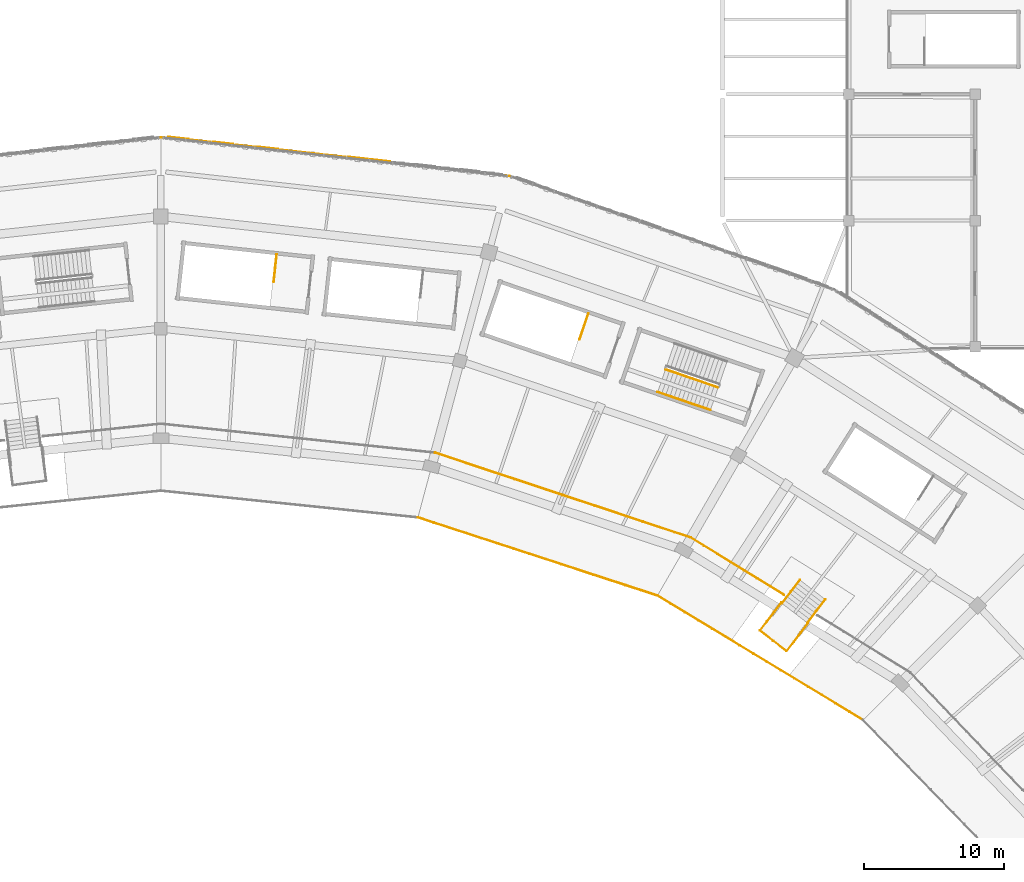
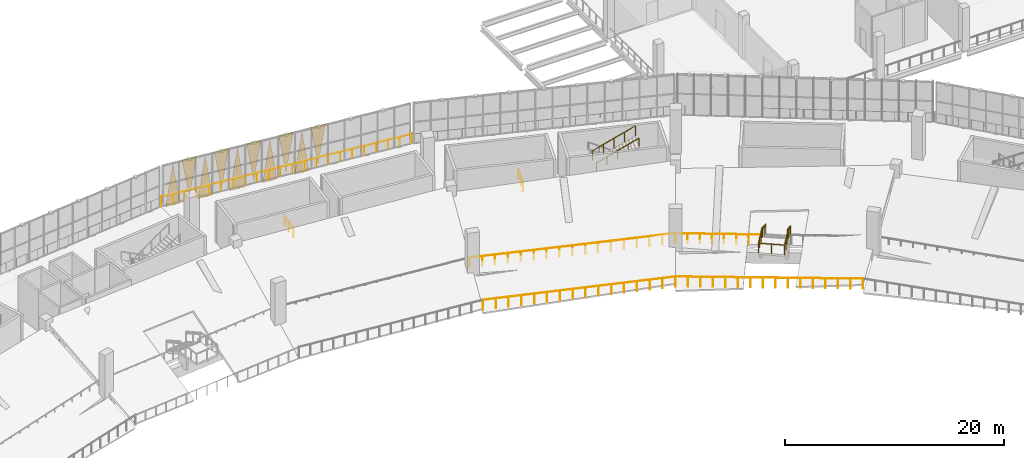
# One storey, part 146 of 152: 16 railings, 10 coverings.
"""IFC4 building model written with IfcOpenShell, lengths in metres."""

import ifcopenshell
import ifcopenshell.guid

model = None  # the IFC model being written
_history = None  # IfcOwnerHistory: only IFC2X3 demands one
_inside = {}  # id of a spatial element -> (the spatial element, [elements in it])
_under = {}  # id of a project, library or spatial element -> (it, [spatial elements below it])
_declared = {}  # id of a project -> (the project, [libraries it declares])
_typed = {}  # id of a type object -> (the type object, [elements of that type])
_made_of = {}  # id of a material, layer set ... -> (it, [elements and type objects made of it])


def new_model(schema):
    """Start an empty IFC model of exactly this schema.

    Asked for "IFC4X3", IfcOpenShell would pick the latest addendum, in which some entities
    have other attributes; the version numbers below select the first issue.
    IFC2X3 requires an IfcOwnerHistory on every rooted entity: one is made here for all.
    """
    global model, _history
    if schema == "IFC4X3":
        model = ifcopenshell.file(schema_version=(4, 3, 0, 0))
    else:
        model = ifcopenshell.file(schema=schema)
    _inside.clear()
    _under.clear()
    _declared.clear()
    _typed.clear()
    _made_of.clear()
    _history = None
    if model.schema == "IFC2X3":
        org = make("IfcOrganization", Name="unknown")
        user = make(
            "IfcPersonAndOrganization",
            ThePerson=make("IfcPerson", FamilyName="unknown"),
            TheOrganization=org,
        )
        app = make(
            "IfcApplication",
            ApplicationDeveloper=org,
            Version="unknown",
            ApplicationFullName="unknown",
            ApplicationIdentifier="unknown",
        )
        _history = make(
            "IfcOwnerHistory",
            OwningUser=user,
            OwningApplication=app,
            ChangeAction="ADDED",
            CreationDate=0,
        )
    return model


def make(cls, **values):
    """One entity of the class cls with the attributes given. An attribute that is None is left unset."""
    return model.create_entity(
        cls, **{name: value for name, value in values.items() if value is not None}
    )


def rooted(cls, **values):
    """An entity with a GlobalId (a new one), such as an element, a storey or a relation."""
    return make(cls, GlobalId=ifcopenshell.guid.new(), OwnerHistory=_history, **values)


def si_unit(unit_type, name, prefix=None):
    """IfcSIUnit, for example si_unit("LENGTHUNIT", "METRE", prefix="MILLI")."""
    return make("IfcSIUnit", UnitType=unit_type, Prefix=prefix, Name=name)


def assignment(units):
    """IfcUnitAssignment: the units of a project."""
    return None if units is None else make("IfcUnitAssignment", Units=units)


def point(xyz):
    """IfcCartesianPoint."""
    return None if xyz is None else make("IfcCartesianPoint", Coordinates=xyz)


def direction(xyz):
    """IfcDirection."""
    return None if xyz is None else make("IfcDirection", DirectionRatios=xyz)


def frame(location, z_axis=None, x_axis=None):
    """IfcAxis2Placement3D, a coordinate frame: its origin and axes. An axis left out is left unset."""
    return make(
        "IfcAxis2Placement3D",
        Location=point(location),
        Axis=direction(z_axis),
        RefDirection=direction(x_axis),
    )


def frame_2d(location, x_axis=None):
    """IfcAxis2Placement2D, a coordinate frame in the plane: its origin and x axis."""
    return make(
        "IfcAxis2Placement2D", Location=point(location), RefDirection=direction(x_axis)
    )


def origin():
    """The frame at (0, 0, 0) with its axes left unset."""
    return frame((0.0, 0.0, 0.0))


def origin_2d():
    """The frame at (0, 0) in the plane with its x axis left unset."""
    return frame_2d((0.0, 0.0))


def place(relative_to, where):
    """IfcLocalPlacement: puts the frame where relative to a parent placement (None: the world)."""
    return make(
        "IfcLocalPlacement", PlacementRelTo=relative_to, RelativePlacement=where
    )


def context(
    kind, dimensions, precision=None, world=None, true_north=None, identifier=None
):
    """IfcGeometricRepresentationContext, for example the 3D "Model" context."""
    return make(
        "IfcGeometricRepresentationContext",
        ContextIdentifier=identifier,
        ContextType=kind,
        CoordinateSpaceDimension=dimensions,
        Precision=precision,
        WorldCoordinateSystem=world,
        TrueNorth=true_north,
    )


def subcontext(parent, identifier, kind, view, scale=None):
    """IfcGeometricRepresentationSubContext, for example "Body" below "Model"."""
    return make(
        "IfcGeometricRepresentationSubContext",
        ContextIdentifier=identifier,
        ContextType=kind,
        ParentContext=parent,
        TargetScale=scale,
        TargetView=view,
    )


def project(units=None, contexts=None):
    """IfcProject with its units and contexts."""
    return rooted(
        "IfcProject",
        Name="project",
        RepresentationContexts=contexts,
        UnitsInContext=assignment(units),
    )


def spatial(cls, under=None, at=None, **own):
    """A site, building, storey or space (cls), placed at a placement, below another one or the project."""
    s = rooted(cls, ObjectPlacement=at, **own)
    if under is not None:
        _under.setdefault(under.id(), (under, []))[1].append(s)
    return s


def polyline(points):
    """IfcPolyline through the points."""
    return make("IfcPolyline", Points=[point(p) for p in points])


def profile(cls, at=None, kind="AREA", **sizes):
    """A parametric profile (cls). Its sizes go by their IFC names, for example OverallWidth=200.0."""
    return make(cls, ProfileType=kind, Position=at, **sizes)


def circle(**sizes):
    """IfcCircleProfileDef."""
    return profile("IfcCircleProfileDef", **sizes)


def outline(outer, holes=None, kind="AREA"):
    """IfcArbitraryClosedProfileDef: a profile drawn as a closed curve; with holes, ...WithVoids."""
    if holes is None:
        return make("IfcArbitraryClosedProfileDef", ProfileType=kind, OuterCurve=outer)
    return make(
        "IfcArbitraryProfileDefWithVoids",
        ProfileType=kind,
        OuterCurve=outer,
        InnerCurves=holes,
    )


def extrude(swept, where, along, depth):
    """IfcExtrudedAreaSolid: the profile swept, set in the frame where, extruded along a direction by depth."""
    return make(
        "IfcExtrudedAreaSolid",
        SweptArea=swept,
        Position=where,
        ExtrudedDirection=direction(along),
        Depth=depth,
    )


def shape(context_of_items, identifier, shape_type, items):
    """IfcShapeRepresentation: the items that make up one representation, for example the "Body"."""
    return make(
        "IfcShapeRepresentation",
        ContextOfItems=context_of_items,
        RepresentationIdentifier=identifier,
        RepresentationType=shape_type,
        Items=items,
    )


def material(Name=None, Category=None):
    """IfcMaterial."""
    return make("IfcMaterial", Name=Name, Category=Category)


def layer(
    of_material, thickness, ventilated=None, Name=None, Category=None, Priority=None
):
    """IfcMaterialLayer: one layer of a wall or slab, of a material (None: an air gap)."""
    return make(
        "IfcMaterialLayer",
        Material=of_material,
        LayerThickness=thickness,
        IsVentilated=ventilated,
        Name=Name,
        Category=Category,
        Priority=Priority,
    )


def layer_set(layers, Name=None):
    """IfcMaterialLayerSet."""
    return make("IfcMaterialLayerSet", MaterialLayers=layers, LayerSetName=Name)


def made_of(thing, what):
    """Note that an element or type object is made of a material, layer set ...; save() writes the relation."""
    if what is not None:
        _made_of.setdefault(what.id(), (what, []))[1].append(thing)
    return thing


def type_object(cls, material=None, **own):
    """A type object (cls), such as IfcWallType, which elements share."""
    return made_of(rooted(cls, **own), material)


def element(
    cls,
    number,
    at=None,
    inside=None,
    cuts=None,
    type_object=None,
    material=None,
    context=None,
    identifier="Body",
    shape_type=None,
    held_by="IfcProductDefinitionShape",
    body=None,
    shapes=None,
    **own,
):
    """One element of the class cls, such as IfcWall. Its Tag is "e" and its number.

    at: its placement. inside: the storey or other place that contains it. cuts: it is an
    opening in that element (IfcRelVoidsElement). A single representation is given by context,
    identifier, shape_type and body (its items); several are given by shapes. held_by: the class
    of the entity that holds the representations. save() writes the other relations.
    """
    e = rooted(cls, Tag="e%d" % number, ObjectPlacement=at, **own)
    if body is not None:
        shapes = [shape(context, identifier, shape_type, body)]
    if shapes is not None:
        e.Representation = make(held_by, Representations=shapes)
    if inside is not None:
        _inside.setdefault(inside.id(), (inside, []))[1].append(e)
    if cuts is not None:
        rooted(
            "IfcRelVoidsElement", RelatingBuildingElement=cuts, RelatedOpeningElement=e
        )
    if type_object is not None:
        _typed.setdefault(type_object.id(), (type_object, []))[1].append(e)
    return made_of(e, material)


def aggregate(whole, parts):
    """IfcRelAggregates: a whole, such as a stair, and the parts it consists of."""
    return rooted("IfcRelAggregates", RelatingObject=whole, RelatedObjects=parts)


def save(model, path):
    """Write the relations noted so far, then the file.

    IfcRelAggregates (storeys below a building ...), IfcRelContainedInSpatialStructure (elements
    in a storey), IfcRelDefinesByType, IfcRelAssociatesMaterial and IfcRelDeclares: one each for
    every whole, place, type object, material and project.
    """
    for whole, parts in _under.values():
        aggregate(whole, parts)
    for where, things in _inside.values():
        rooted(
            "IfcRelContainedInSpatialStructure",
            RelatedElements=things,
            RelatingStructure=where,
        )
    for kind, things in _typed.values():
        rooted("IfcRelDefinesByType", RelatedObjects=things, RelatingType=kind)
    for what, things in _made_of.values():
        rooted("IfcRelAssociatesMaterial", RelatedObjects=things, RelatingMaterial=what)
    for by, libraries in _declared.values():
        rooted("IfcRelDeclares", RelatingContext=by, RelatedDefinitions=libraries)
    model.write(path)


model = new_model("IFC4")

# Units and contexts
model_context = context("Model", 3, precision=1e-05, world=origin(), true_north=direction((0.0, 1.0)))
body_context = subcontext(model_context, "Body", "Model", "MODEL_VIEW")
ifc_project = project(units=[si_unit("LENGTHUNIT", "METRE"), si_unit("AREAUNIT", "SQUARE_METRE"), si_unit("VOLUMEUNIT", "CUBIC_METRE"), si_unit("PLANEANGLEUNIT", "RADIAN"), si_unit("MASSUNIT", "GRAM", prefix="KILO")], contexts=[model_context])

# Site, building, storey
site_placement = place(None, origin())
site = spatial("IfcSite", under=ifc_project, at=site_placement, CompositionType="ELEMENT")
building_placement = place(site_placement, origin())
building = spatial("IfcBuilding", under=site, at=building_placement, Name="Zevraka Park Crest Stadium", CompositionType="ELEMENT")
storey_placement = place(building_placement, frame((0.0, 0.0, 15.0)))
storey = spatial("IfcBuildingStorey", under=building, at=storey_placement, Name="L03", CompositionType="ELEMENT", Elevation=15.0)

# Coverings
ifc_material_1 = material(Name="Architectural golden-bronze perforated aluminium", Category="aluminium")
ifc_layer = layer(ifc_material_1, 0.034912109375)
ifc_layer_set = layer_set([ifc_layer], Name="Architectural golden-bronze perforated aluminium")
covering_type = type_object("IfcCoveringType", Name="CLD01", PredefinedType="CLADDING", material=ifc_layer_set)
covering_1_placement = place(storey_placement, frame((126.89794921875, 171.344970703125, 4.52001953125), z_axis=(-0.11052412629, -0.993873440993, 2.8214201e-05), x_axis=(0.993873441389, -0.110524126334, 0.0)))
element("IfcCovering", 1, at=covering_1_placement, inside=storey, type_object=covering_type, Name="Triangular Golden-Bronze Perforated Cladding L03-05-6", PredefinedType="CLADDING", context=body_context, shape_type="SweptSolid", body=[
    extrude(outline(polyline([(0.0, 0.0), (1.446852507941667, 0.0), (0.7234397456854739, -4.300048829836508), (0.0, 0.0)])), origin(), (0.0, 0.0, -1.0), 0.034912109375),
])
covering_2_placement = place(storey_placement, frame((126.739013671875, 171.363037109375, -0.260009765625), z_axis=(-0.109857339416, -0.993947356621, 0.000131307778), x_axis=(-0.99394736519, 0.109857340363, 0.0)))
element("IfcCovering", 2, at=covering_2_placement, inside=storey, type_object=covering_type, Name="Triangular Golden-Bronze Perforated Cladding L03-05-7", PredefinedType="CLADDING", context=body_context, shape_type="SweptSolid", body=[
    extrude(outline(polyline([(0.0, 0.0), (1.4467448997915233, -3.3881317890172014e-21), (0.7234395014951044, -4.620117227329413), (0.0, 0.0)])), origin(), (0.0, 0.0, -1.0), 0.034912109375),
])
covering_3_placement = place(storey_placement, frame((123.705078125, 171.699951171875, 4.52001953125), z_axis=(0.110598317646, 0.993865187272, 4.0772681e-05), x_axis=(0.993865188098, -0.110598317738, 0.0)))
element("IfcCovering", 3, at=covering_3_placement, inside=storey, type_object=covering_type, Name="Triangular Golden-Bronze Perforated Cladding L03-05-8", PredefinedType="CLADDING", context=body_context, shape_type="SweptSolid", body=[
    extrude(outline(polyline([(0.0, 0.0), (1.4458819324376355, 8.470329472543003e-22), (0.7234127511839856, 4.300048831699226), (0.0, 0.0)])), origin(), (0.0, 0.0, -1.0), 0.034912109375),
])
covering_4_placement = place(storey_placement, frame((123.5458984375, 171.718017578125, -0.260009765625), z_axis=(0.109857340022, 0.993947362105, 7.8784667e-05), x_axis=(-0.99394736519, 0.109857340363, 0.0)))
element("IfcCovering", 4, at=covering_4_placement, inside=storey, type_object=covering_type, Name="Triangular Golden-Bronze Perforated Cladding L03-05-9", PredefinedType="CLADDING", context=body_context, shape_type="SweptSolid", body=[
    extrude(outline(polyline([(0.0, 0.0), (1.4467448997915233, -1.6940658945086007e-21), (0.723332218936156, 4.62011720183859), (0.0, 0.0)])), origin(), (0.0, 0.0, -1.0), 0.034912109375),
])
covering_5_placement = place(storey_placement, frame((120.510986328125, 172.054931640625, 4.52001953125), z_axis=(0.11052412629, 0.993873440993, 2.8214201e-05), x_axis=(0.993873441389, -0.110524126334, 0.0)))
element("IfcCovering", 5, at=covering_5_placement, inside=storey, type_object=covering_type, Name="Triangular Golden-Bronze Perforated Cladding L03-05-10", PredefinedType="CLADDING", context=body_context, shape_type="SweptSolid", body=[
    extrude(outline(polyline([(0.0, 0.0), (1.446852507941667, 0.0), (0.723412762256193, 4.300048829836508), (0.0, 0.0)])), origin(), (0.0, 0.0, -1.0), 0.034912109375),
])
covering_6_placement = place(storey_placement, frame((120.35205078125, 172.072021484375, -0.260009765625), z_axis=(-0.110524126296, -0.993873441046, 2.6259603e-05), x_axis=(-0.993873441389, 0.110524126334, 0.0)))
element("IfcCovering", 6, at=covering_6_placement, inside=storey, type_object=covering_type, Name="Triangular Golden-Bronze Perforated Cladding L03-05-11", PredefinedType="CLADDING", context=body_context, shape_type="SweptSolid", body=[
    extrude(outline(polyline([(0.0, 0.0), (1.446852507941667, 0.0), (0.7234397456854739, -4.62011718909294), (0.0, 0.0)])), origin(), (0.0, 0.0, -1.0), 0.034912109375),
])
covering_7_placement = place(storey_placement, frame((117.31689453125, 172.408935546875, 4.52001953125), z_axis=(0.10985733927, 0.993947355298, 0.000141081496), x_axis=(0.99394736519, -0.109857340363, 0.0)))
element("IfcCovering", 7, at=covering_7_placement, inside=storey, type_object=covering_type, Name="Triangular Golden-Bronze Perforated Cladding L03-05-12", PredefinedType="CLADDING", context=body_context, shape_type="SweptSolid", body=[
    extrude(outline(polyline([(0.0, 0.0), (1.4467448997915233, 0.0), (0.7233053982964189, 4.300048870919063), (0.0, 0.0)])), origin(), (0.0, 0.0, -1.0), 0.034912109375),
])
covering_8_placement = place(storey_placement, frame((117.157958984375, 172.427001953125, -0.260009765625), z_axis=(-0.110524126296, -0.993873441046, 2.6259603e-05), x_axis=(-0.993873441389, 0.110524126334, 0.0)))
element("IfcCovering", 8, at=covering_8_placement, inside=storey, type_object=covering_type, Name="Triangular Golden-Bronze Perforated Cladding L03-05-13", PredefinedType="CLADDING", context=body_context, shape_type="SweptSolid", body=[
    extrude(outline(polyline([(0.0, 0.0), (1.446852507941667, 0.0), (0.7234397456854739, -4.62011718909294), (0.0, 0.0)])), origin(), (0.0, 0.0, -1.0), 0.034912109375),
])
covering_9_placement = place(storey_placement, frame((114.1240234375, 172.763916015625, 4.52001953125), z_axis=(0.110598317724, 0.993865187976, 1.5655252e-05), x_axis=(0.993865188098, -0.110598317738, 0.0)))
element("IfcCovering", 9, at=covering_9_placement, inside=storey, type_object=covering_type, Name="Triangular Golden-Bronze Perforated Cladding L03-05-14", PredefinedType="CLADDING", context=body_context, shape_type="SweptSolid", body=[
    extrude(outline(polyline([(0.0, 0.0), (1.4458819324376355, 0.0), (0.7224421797112335, 4.300048828651943), (0.0, 0.0)])), origin(), (0.0, 0.0, -1.0), 0.034912109375),
])
covering_10_placement = place(storey_placement, frame((113.965087890625, 172.781982421875, -0.260009765625), z_axis=(-0.109857339416, -0.993947356621, 0.000131307778), x_axis=(-0.99394736519, 0.109857340363, 0.0)))
element("IfcCovering", 10, at=covering_10_placement, inside=storey, type_object=covering_type, Name="Triangular Golden-Bronze Perforated Cladding L03-05-15", PredefinedType="CLADDING", context=body_context, shape_type="SweptSolid", body=[
    extrude(outline(polyline([(0.0, 0.0), (1.4467448997915233, -3.3881317890172014e-21), (0.7234395014951044, -4.620117227329413), (0.0, 0.0)])), origin(), (0.0, 0.0, -1.0), 0.034912109375),
])

# Railings
ifc_material_2 = material(Name="Galvanised and bronze-finished steel balustrade", Category="steel")
railing_type_1 = type_object("IfcRailingType", Name="GR01", PredefinedType="GUARDRAIL", material=ifc_material_2)
railing_1_placement = place(storey_placement, frame((112.0, 172.929931640625, 0.0)))
element("IfcRailing", 11, at=railing_1_placement, inside=storey, type_object=railing_type_1, Name="Deck Edge Protection Guardrail GR01 L03-8", PredefinedType="GUARDRAIL", context=body_context, shape_type="SweptSolid", body=[
    extrude(circle(Radius=0.02392578125, at=origin_2d()), frame((0.0, 0.0, 1.076171875), z_axis=(0.993883615503, -0.110432598604, 0.0), x_axis=(0.110432598604, 0.993883615503, 0.0)), (0.0, 0.0, 1.0), 24.98388671875),
    extrude(circle(Radius=0.02099609375, at=origin_2d()), origin(), (0.0, 0.0, 1.0), 1.052001953125),
    extrude(circle(Radius=0.02099609375, at=origin_2d()), frame((1.182373046875, -0.13134765625, 0.0)), (0.0, 0.0, 1.0), 1.052001953125),
    extrude(circle(Radius=0.02099609375, at=origin_2d()), frame((2.36474609375, -0.2626953125, 0.0)), (0.0, 0.0, 1.0), 1.052001953125),
    extrude(circle(Radius=0.02099609375, at=origin_2d()), frame((3.54736328125, -0.39404296875, 0.0)), (0.0, 0.0, 1.0), 1.052001953125),
    extrude(circle(Radius=0.02099609375, at=origin_2d()), frame((4.729736328125, -0.525634765625, 0.0)), (0.0, 0.0, 1.0), 1.052001953125),
    extrude(circle(Radius=0.02099609375, at=origin_2d()), frame((5.912109375, -0.656982421875, 0.0)), (0.0, 0.0, 1.0), 1.052001953125),
    extrude(circle(Radius=0.02099609375, at=origin_2d()), frame((7.094482421875, -0.788330078125, 0.0)), (0.0, 0.0, 1.0), 1.052001953125),
    extrude(circle(Radius=0.02099609375, at=origin_2d()), frame((8.277099609375, -0.919677734375, 0.0)), (0.0, 0.0, 1.0), 1.052001953125),
    extrude(circle(Radius=0.02099609375, at=origin_2d()), frame((9.45947265625, -1.051025390625, 0.0)), (0.0, 0.0, 1.0), 1.052001953125),
    extrude(circle(Radius=0.02099609375, at=origin_2d()), frame((10.641845703125, -1.182373046875, 0.0)), (0.0, 0.0, 1.0), 1.052001953125),
    extrude(circle(Radius=0.02099609375, at=origin_2d()), frame((11.82421875, -1.313720703125, 0.0)), (0.0, 0.0, 1.0), 1.052001953125),
    extrude(circle(Radius=0.02099609375, at=origin_2d()), frame((13.0068359375, -1.4453125, 0.0)), (0.0, 0.0, 1.0), 1.052001953125),
    extrude(circle(Radius=0.02099609375, at=origin_2d()), frame((14.189208984375, -1.57666015625, 0.0)), (0.0, 0.0, 1.0), 1.052001953125),
    extrude(circle(Radius=0.02099609375, at=origin_2d()), frame((15.37158203125, -1.7080078125, 0.0)), (0.0, 0.0, 1.0), 1.052001953125),
    extrude(circle(Radius=0.02099609375, at=origin_2d()), frame((16.553955078125, -1.83935546875, 0.0)), (0.0, 0.0, 1.0), 1.052001953125),
    extrude(circle(Radius=0.02099609375, at=origin_2d()), frame((17.736572265625, -1.970703125, 0.0)), (0.0, 0.0, 1.0), 1.052001953125),
    extrude(circle(Radius=0.02099609375, at=origin_2d()), frame((18.9189453125, -2.10205078125, 0.0)), (0.0, 0.0, 1.0), 1.052001953125),
    extrude(circle(Radius=0.02099609375, at=origin_2d()), frame((20.101318359375, -2.2333984375, 0.0)), (0.0, 0.0, 1.0), 1.052001953125),
    extrude(circle(Radius=0.02099609375, at=origin_2d()), frame((21.28369140625, -2.364990234375, 0.0)), (0.0, 0.0, 1.0), 1.052001953125),
    extrude(circle(Radius=0.02099609375, at=origin_2d()), frame((22.46630859375, -2.496337890625, 0.0)), (0.0, 0.0, 1.0), 1.052001953125),
    extrude(circle(Radius=0.02099609375, at=origin_2d()), frame((23.648681640625, -2.627685546875, 0.0)), (0.0, 0.0, 1.0), 1.052001953125),
    extrude(circle(Radius=0.02099609375, at=origin_2d()), frame((24.8310546875, -2.759033203125, 0.0)), (0.0, 0.0, 1.0), 1.052001953125),
])
railing_2_placement = place(storey_placement, frame((156.382080078125, 140.341064453125, 0.0)))
element("IfcRailing", 12, at=railing_2_placement, inside=storey, type_object=railing_type_1, Name="Deck Edge Protection Guardrail GR01 L03-68", PredefinedType="GUARDRAIL", context=body_context, shape_type="SweptSolid", body=[
    extrude(circle(Radius=0.02392578125, at=origin_2d()), frame((0.0, 0.0, 1.076171875), z_axis=(-0.851986638499, 0.52356352797, 0.0), x_axis=(-0.52356352797, -0.851986638499, 0.0)), (0.0, 0.0, 1.0), 7.783203125),
    extrude(circle(Radius=0.02099609375, at=origin_2d()), origin(), (0.0, 0.0, 1.0), 1.052001953125),
    extrude(circle(Radius=0.02099609375, at=origin_2d()), frame((-0.947265625, 0.58203125, 0.0)), (0.0, 0.0, 1.0), 1.052001953125),
    extrude(circle(Radius=0.02099609375, at=origin_2d()), frame((-1.89453125, 1.164306640625, 0.0)), (0.0, 0.0, 1.0), 1.052001953125),
    extrude(circle(Radius=0.02099609375, at=origin_2d()), frame((-2.841796875, 1.746337890625, 0.0)), (0.0, 0.0, 1.0), 1.052001953125),
    extrude(circle(Radius=0.02099609375, at=origin_2d()), frame((-3.789306640625, 2.32861328125, 0.0)), (0.0, 0.0, 1.0), 1.052001953125),
    extrude(circle(Radius=0.02099609375, at=origin_2d()), frame((-4.736572265625, 2.91064453125, 0.0)), (0.0, 0.0, 1.0), 1.052001953125),
    extrude(circle(Radius=0.02099609375, at=origin_2d()), frame((-5.683837890625, 3.492919921875, 0.0)), (0.0, 0.0, 1.0), 1.052001953125),
    extrude(circle(Radius=0.02099609375, at=origin_2d()), frame((-6.631103515625, 4.074951171875, 0.0)), (0.0, 0.0, 1.0), 1.052001953125),
])
railing_3_placement = place(storey_placement, frame((149.7509765625, 144.416015625, 0.0)))
element("IfcRailing", 13, at=railing_3_placement, inside=storey, type_object=railing_type_1, Name="Deck Edge Protection Guardrail GR01 L03-69", PredefinedType="GUARDRAIL", context=body_context, shape_type="SweptSolid", body=[
    extrude(circle(Radius=0.02392578125, at=origin_2d()), frame((0.0, 0.0, 1.076171875), z_axis=(-0.94911500609, 0.314929682969, 0.0), x_axis=(-0.314929682969, -0.94911500609, 0.0)), (0.0, 0.0, 1.0), 19.188232421875),
    extrude(circle(Radius=0.02099609375, at=origin_2d()), origin(), (0.0, 0.0, 1.0), 1.052001953125),
    extrude(circle(Radius=0.02099609375, at=origin_2d()), frame((-1.13818359375, 0.377685546875, 0.0)), (0.0, 0.0, 1.0), 1.052001953125),
    extrude(circle(Radius=0.02099609375, at=origin_2d()), frame((-2.2763671875, 0.75537109375, 0.0)), (0.0, 0.0, 1.0), 1.052001953125),
    extrude(circle(Radius=0.02099609375, at=origin_2d()), frame((-3.414794921875, 1.133056640625, 0.0)), (0.0, 0.0, 1.0), 1.052001953125),
    extrude(circle(Radius=0.02099609375, at=origin_2d()), frame((-4.552978515625, 1.5107421875, 0.0)), (0.0, 0.0, 1.0), 1.052001953125),
    extrude(circle(Radius=0.02099609375, at=origin_2d()), frame((-5.691162109375, 1.888427734375, 0.0)), (0.0, 0.0, 1.0), 1.052001953125),
    extrude(circle(Radius=0.02099609375, at=origin_2d()), frame((-6.82958984375, 2.26611328125, 0.0)), (0.0, 0.0, 1.0), 1.052001953125),
    extrude(circle(Radius=0.02099609375, at=origin_2d()), frame((-7.9677734375, 2.643798828125, 0.0)), (0.0, 0.0, 1.0), 1.052001953125),
    extrude(circle(Radius=0.02099609375, at=origin_2d()), frame((-9.10595703125, 3.021484375, 0.0)), (0.0, 0.0, 1.0), 1.052001953125),
    extrude(circle(Radius=0.02099609375, at=origin_2d()), frame((-10.244140625, 3.399169921875, 0.0)), (0.0, 0.0, 1.0), 1.052001953125),
    extrude(circle(Radius=0.02099609375, at=origin_2d()), frame((-11.38232421875, 3.77685546875, 0.0)), (0.0, 0.0, 1.0), 1.052001953125),
    extrude(circle(Radius=0.02099609375, at=origin_2d()), frame((-12.520751953125, 4.154541015625, 0.0)), (0.0, 0.0, 1.0), 1.052001953125),
    extrude(circle(Radius=0.02099609375, at=origin_2d()), frame((-13.658935546875, 4.5322265625, 0.0)), (0.0, 0.0, 1.0), 1.052001953125),
    extrude(circle(Radius=0.02099609375, at=origin_2d()), frame((-14.797119140625, 4.909912109375, 0.0)), (0.0, 0.0, 1.0), 1.052001953125),
    extrude(circle(Radius=0.02099609375, at=origin_2d()), frame((-15.935546875, 5.28759765625, 0.0)), (0.0, 0.0, 1.0), 1.052001953125),
    extrude(circle(Radius=0.02099609375, at=origin_2d()), frame((-17.07373046875, 5.665283203125, 0.0)), (0.0, 0.0, 1.0), 1.052001953125),
    extrude(circle(Radius=0.02099609375, at=origin_2d()), frame((-18.2119140625, 6.04296875, 0.0)), (0.0, 0.0, 1.0), 1.052001953125),
])
ifc_material_3 = material(Name="Laminated glass and stainless steel sightline bowl guard", Category="steel")
railing_type_2 = type_object("IfcRailingType", Name="GR02", PredefinedType="GUARDRAIL", material=ifc_material_3)
railing_4_placement = place(storey_placement, frame((162.028076171875, 131.4208984375, -1.5)))
element("IfcRailing", 14, at=railing_4_placement, inside=storey, type_object=railing_type_2, Name="Upper Tier Cantilever Sightline Guard GR02 03", PredefinedType="GUARDRAIL", context=body_context, shape_type="SweptSolid", body=[
    extrude(circle(Radius=0.02392578125, at=origin_2d()), frame((0.0, 0.0, 1.09619140625), z_axis=(-0.855729194153, 0.517423952165, 0.0), x_axis=(-0.517423952165, -0.855729194153, 0.0)), (0.0, 0.0, 1.0), 17.12353515625),
    extrude(circle(Radius=0.02099609375, at=origin_2d()), origin(), (0.0, 0.0, 1.0), 1.072021484375),
    extrude(circle(Radius=0.02099609375, at=origin_2d()), frame((-0.976806640625, 0.590576171875, 0.0)), (0.0, 0.0, 1.0), 1.072021484375),
    extrude(circle(Radius=0.02099609375, at=origin_2d()), frame((-1.953857421875, 1.181396484375, 0.0)), (0.0, 0.0, 1.0), 1.072021484375),
    extrude(circle(Radius=0.02099609375, at=origin_2d()), frame((-2.9306640625, 1.77197265625, 0.0)), (0.0, 0.0, 1.0), 1.072021484375),
    extrude(circle(Radius=0.02099609375, at=origin_2d()), frame((-3.907470703125, 2.36279296875, 0.0)), (0.0, 0.0, 1.0), 1.072021484375),
    extrude(circle(Radius=0.02099609375, at=origin_2d()), frame((-4.88427734375, 2.953369140625, 0.0)), (0.0, 0.0, 1.0), 1.072021484375),
    extrude(circle(Radius=0.02099609375, at=origin_2d()), frame((-5.861328125, 3.5439453125, 0.0)), (0.0, 0.0, 1.0), 1.072021484375),
    extrude(circle(Radius=0.02099609375, at=origin_2d()), frame((-6.838134765625, 4.134765625, 0.0)), (0.0, 0.0, 1.0), 1.072021484375),
    extrude(circle(Radius=0.02099609375, at=origin_2d()), frame((-7.81494140625, 4.725341796875, 0.0)), (0.0, 0.0, 1.0), 1.072021484375),
    extrude(circle(Radius=0.02099609375, at=origin_2d()), frame((-8.791748046875, 5.316162109375, 0.0)), (0.0, 0.0, 1.0), 1.072021484375),
    extrude(circle(Radius=0.02099609375, at=origin_2d()), frame((-9.768798828125, 5.90673828125, 0.0)), (0.0, 0.0, 1.0), 1.072021484375),
    extrude(circle(Radius=0.02099609375, at=origin_2d()), frame((-10.74560546875, 6.497314453125, 0.0)), (0.0, 0.0, 1.0), 1.072021484375),
    extrude(circle(Radius=0.02099609375, at=origin_2d()), frame((-11.722412109375, 7.088134765625, 0.0)), (0.0, 0.0, 1.0), 1.072021484375),
    extrude(circle(Radius=0.02099609375, at=origin_2d()), frame((-12.69921875, 7.6787109375, 0.0)), (0.0, 0.0, 1.0), 1.072021484375),
    extrude(circle(Radius=0.02099609375, at=origin_2d()), frame((-13.67626953125, 8.26953125, 0.0)), (0.0, 0.0, 1.0), 1.072021484375),
    extrude(circle(Radius=0.02099609375, at=origin_2d()), frame((-14.653076171875, 8.860107421875, 0.0)), (0.0, 0.0, 1.0), 1.072021484375),
])
railing_5_placement = place(storey_placement, frame((147.375, 140.281005859375, -1.5)))
element("IfcRailing", 15, at=railing_5_placement, inside=storey, type_object=railing_type_2, Name="Upper Tier Cantilever Sightline Guard GR02 04", PredefinedType="GUARDRAIL", context=body_context, shape_type="SweptSolid", body=[
    extrude(circle(Radius=0.02392578125, at=origin_2d()), frame((0.0, 0.0, 1.09619140625), z_axis=(-0.950651722205, 0.310260057161, 0.0), x_axis=(-0.310260057161, -0.950651722205, 0.0)), (0.0, 0.0, 1.0), 17.94970703125),
    extrude(circle(Radius=0.02099609375, at=origin_2d()), origin(), (0.0, 0.0, 1.0), 1.072021484375),
    extrude(circle(Radius=0.02099609375, at=origin_2d()), frame((-1.1376953125, 0.371337890625, 0.0)), (0.0, 0.0, 1.0), 1.072021484375),
    extrude(circle(Radius=0.02099609375, at=origin_2d()), frame((-2.275146484375, 0.742431640625, 0.0)), (0.0, 0.0, 1.0), 1.072021484375),
    extrude(circle(Radius=0.02099609375, at=origin_2d()), frame((-3.412841796875, 1.11376953125, 0.0)), (0.0, 0.0, 1.0), 1.072021484375),
    extrude(circle(Radius=0.02099609375, at=origin_2d()), frame((-4.55029296875, 1.485107421875, 0.0)), (0.0, 0.0, 1.0), 1.072021484375),
    extrude(circle(Radius=0.02099609375, at=origin_2d()), frame((-5.68798828125, 1.8564453125, 0.0)), (0.0, 0.0, 1.0), 1.072021484375),
    extrude(circle(Radius=0.02099609375, at=origin_2d()), frame((-6.82568359375, 2.2275390625, 0.0)), (0.0, 0.0, 1.0), 1.072021484375),
    extrude(circle(Radius=0.02099609375, at=origin_2d()), frame((-7.963134765625, 2.598876953125, 0.0)), (0.0, 0.0, 1.0), 1.072021484375),
    extrude(circle(Radius=0.02099609375, at=origin_2d()), frame((-9.100830078125, 2.97021484375, 0.0)), (0.0, 0.0, 1.0), 1.072021484375),
    extrude(circle(Radius=0.02099609375, at=origin_2d()), frame((-10.23828125, 3.341552734375, 0.0)), (0.0, 0.0, 1.0), 1.072021484375),
    extrude(circle(Radius=0.02099609375, at=origin_2d()), frame((-11.3759765625, 3.712646484375, 0.0)), (0.0, 0.0, 1.0), 1.072021484375),
    extrude(circle(Radius=0.02099609375, at=origin_2d()), frame((-12.513671875, 4.083984375, 0.0)), (0.0, 0.0, 1.0), 1.072021484375),
    extrude(circle(Radius=0.02099609375, at=origin_2d()), frame((-13.651123046875, 4.455322265625, 0.0)), (0.0, 0.0, 1.0), 1.072021484375),
    extrude(circle(Radius=0.02099609375, at=origin_2d()), frame((-14.788818359375, 4.82666015625, 0.0)), (0.0, 0.0, 1.0), 1.072021484375),
    extrude(circle(Radius=0.02099609375, at=origin_2d()), frame((-15.92626953125, 5.19775390625, 0.0)), (0.0, 0.0, 1.0), 1.072021484375),
    extrude(circle(Radius=0.02099609375, at=origin_2d()), frame((-17.06396484375, 5.569091796875, 0.0)), (0.0, 0.0, 1.0), 1.072021484375),
])
ifc_material_4 = material(Name="Powder-coated tubular steel stairwell guard", Category="steel")
railing_type_3 = type_object("IfcRailingType", Name="GR03", PredefinedType="GUARDRAIL", material=ifc_material_4)
railing_6_placement = place(storey_placement, frame((147.946533203125, 156.388916015625, 2.571533203125)))
element("IfcRailing", 16, at=railing_6_placement, inside=storey, type_object=railing_type_3, Name="L03 ST05 stair guard 3", PredefinedType="GUARDRAIL", context=body_context, shape_type="SweptSolid", body=[
    extrude(circle(Radius=0.02392578125, at=origin_2d()), frame((0.0, 0.0, 1.076171875), z_axis=(0.824726794133, -0.282441418206, 0.489951589772), x_axis=(0.32399372979, 0.946059228091, 0.0)), (0.0, 0.0, 1.0), 4.54833984375),
    extrude(circle(Radius=0.02099609375, at=origin_2d()), origin(), (0.0, 0.0, 1.0), 1.052001953125),
    extrude(circle(Radius=0.02099609375, at=origin_2d()), frame((0.937744140625, -0.3212890625, 0.55712890625)), (0.0, 0.0, 1.0), 1.052001953125),
    extrude(circle(Radius=0.02099609375, at=origin_2d()), frame((1.87548828125, -0.642333984375, 1.1142578125)), (0.0, 0.0, 1.0), 1.052001953125),
    extrude(circle(Radius=0.02099609375, at=origin_2d()), frame((2.8134765625, -0.96337890625, 1.67138671875)), (0.0, 0.0, 1.0), 1.052001953125),
    extrude(circle(Radius=0.02099609375, at=origin_2d()), frame((3.751220703125, -1.28466796875, 2.228515625)), (0.0, 0.0, 1.0), 1.052001953125),
])
railing_7_placement = place(storey_placement, frame((142.462158203125, 160.390625, 0.0)))
element("IfcRailing", 17, at=railing_7_placement, inside=storey, type_object=railing_type_3, Name="L03 ST25 top well guard 1", PredefinedType="GUARDRAIL", context=body_context, shape_type="SweptSolid", body=[
    extrude(circle(Radius=0.02392578125, at=origin_2d()), frame((0.0, 0.0, 1.076171875), z_axis=(-0.323989920405, -0.94606053267, 0.0), x_axis=(0.94606053267, -0.323989920405, 0.0)), (0.0, 0.0, 1.0), 1.9599609375),
    extrude(circle(Radius=0.02099609375, at=origin_2d()), origin(), (0.0, 0.0, 1.0), 1.052001953125),
    extrude(circle(Radius=0.02099609375, at=origin_2d()), frame((-0.3173828125, -0.92724609375, 0.0)), (0.0, 0.0, 1.0), 1.052001953125),
    extrude(circle(Radius=0.02099609375, at=origin_2d()), frame((-0.635009765625, -1.854248046875, 0.0)), (0.0, 0.0, 1.0), 1.052001953125),
])
railing_8_placement = place(storey_placement, frame((120.25439453125, 164.592041015625, 0.0)))
element("IfcRailing", 18, at=railing_8_placement, inside=storey, type_object=railing_type_3, Name="L03 ST26 top well guard 1", PredefinedType="GUARDRAIL", context=body_context, shape_type="SweptSolid", body=[
    extrude(circle(Radius=0.02392578125, at=origin_2d()), frame((0.0, 0.0, 1.076171875), z_axis=(-0.108243839259, -0.994124374142, 0.0), x_axis=(0.994124374142, -0.108243839259, 0.0)), (0.0, 0.0, 1.0), 1.9599609375),
    extrude(circle(Radius=0.02099609375, at=origin_2d()), origin(), (0.0, 0.0, 1.0), 1.052001953125),
    extrude(circle(Radius=0.02099609375, at=origin_2d()), frame((-0.10595703125, -0.97412109375, 0.0)), (0.0, 0.0, 1.0), 1.052001953125),
    extrude(circle(Radius=0.02099609375, at=origin_2d()), frame((-0.212158203125, -1.948486328125, 0.0)), (0.0, 0.0, 1.0), 1.052001953125),
])
railing_9_placement = place(storey_placement, frame((157.52197265625, 141.39892578125, 0.14990234375)))
element("IfcRailing", 19, at=railing_9_placement, inside=storey, type_object=railing_type_3, Name="Vomitory Flight Guard VS-10-1", PredefinedType="GUARDRAIL", context=body_context, shape_type="SweptSolid", body=[
    extrude(circle(Radius=0.02392578125, at=origin_2d()), frame((0.0, 0.0, 1.076171875), z_axis=(-0.5446878967, -0.709477038954, 0.447165994218), x_axis=(0.793198338244, -0.608963378379, 0.0)), (0.0, 0.0, 1.0), 2.34814453125),
    extrude(circle(Radius=0.02099609375, at=origin_2d()), origin(), (0.0, 0.0, 1.0), 1.052001953125),
    extrude(circle(Radius=0.02099609375, at=origin_2d()), frame((-0.6396484375, -0.8330078125, 0.52490234375)), (0.0, 0.0, 1.0), 1.052001953125),
    extrude(circle(Radius=0.02099609375, at=origin_2d()), frame((-1.279052734375, -1.666015625, 1.050048828125)), (0.0, 0.0, 1.0), 1.052001953125),
])
railing_10_placement = place(storey_placement, frame((159.330078125, 140.010986328125, 0.14990234375)))
element("IfcRailing", 20, at=railing_10_placement, inside=storey, type_object=railing_type_3, Name="Vomitory Flight Guard VS-10-2", PredefinedType="GUARDRAIL", context=body_context, shape_type="SweptSolid", body=[
    extrude(circle(Radius=0.02392578125, at=origin_2d()), frame((0.0, 0.0, 1.076171875), z_axis=(-0.544395308495, -0.709637743108, 0.447267282108), x_axis=(0.793422930273, -0.608670726844, 0.0)), (0.0, 0.0, 1.0), 2.34765625),
    extrude(circle(Radius=0.02099609375, at=origin_2d()), origin(), (0.0, 0.0, 1.0), 1.052001953125),
    extrude(circle(Radius=0.02099609375, at=origin_2d()), frame((-0.63916015625, -0.8330078125, 0.52490234375)), (0.0, 0.0, 1.0), 1.052001953125),
    extrude(circle(Radius=0.02099609375, at=origin_2d()), frame((-1.278076171875, -1.666015625, 1.050048828125)), (0.0, 0.0, 1.0), 1.052001953125),
])
railing_11_placement = place(storey_placement, frame((156.2109375, 139.7890625, 1.199951171875)))
element("IfcRailing", 21, at=railing_11_placement, inside=storey, type_object=railing_type_3, Name="Vomitory Landing Guard VS-10-1", PredefinedType="GUARDRAIL", context=body_context, shape_type="SweptSolid", body=[
    extrude(circle(Radius=0.02392578125, at=origin_2d()), frame((0.0, 0.0, 1.076171875), z_axis=(-0.608705560233, -0.793396206785, 0.0), x_axis=(0.793396206785, -0.608705560233, 0.0)), (0.0, 0.0, 1.0), 2.52490234375),
    extrude(circle(Radius=0.02099609375, at=origin_2d()), origin(), (0.0, 0.0, 1.0), 1.052001953125),
    extrude(circle(Radius=0.02099609375, at=origin_2d()), frame((-0.51220703125, -0.667724609375, 0.0)), (0.0, 0.0, 1.0), 1.052001953125),
    extrude(circle(Radius=0.02099609375, at=origin_2d()), frame((-1.024658203125, -1.33544921875, 0.0)), (0.0, 0.0, 1.0), 1.052001953125),
    extrude(circle(Radius=0.02099609375, at=origin_2d()), frame((-1.536865234375, -2.003173828125, 0.0)), (0.0, 0.0, 1.0), 1.052001953125),
])
railing_12_placement = place(storey_placement, frame((154.674072265625, 137.785888671875, 1.199951171875)))
element("IfcRailing", 22, at=railing_12_placement, inside=storey, type_object=railing_type_3, Name="Vomitory Landing Guard VS-10-2", PredefinedType="GUARDRAIL", context=body_context, shape_type="SweptSolid", body=[
    extrude(circle(Radius=0.02392578125, at=origin_2d()), frame((0.0, 0.0, 1.076171875), z_axis=(0.793334464988, -0.608786026993, 0.0), x_axis=(0.608786026993, 0.793334464988, 0.0)), (0.0, 0.0, 1.0), 2.399658203125),
    extrude(circle(Radius=0.02099609375, at=origin_2d()), origin(), (0.0, 0.0, 1.0), 1.052001953125),
    extrude(circle(Radius=0.02099609375, at=origin_2d()), frame((0.951904296875, -0.73046875, 0.0)), (0.0, 0.0, 1.0), 1.052001953125),
    extrude(circle(Radius=0.02099609375, at=origin_2d()), frame((1.90380859375, -1.4609375, 0.0)), (0.0, 0.0, 1.0), 1.052001953125),
])
railing_13_placement = place(storey_placement, frame((156.577880859375, 136.324951171875, 1.199951171875)))
element("IfcRailing", 23, at=railing_13_placement, inside=storey, type_object=railing_type_3, Name="Vomitory Landing Guard VS-10-3", PredefinedType="GUARDRAIL", context=body_context, shape_type="SweptSolid", body=[
    extrude(circle(Radius=0.02392578125, at=origin_2d()), frame((0.0, 0.0, 1.076171875), z_axis=(0.608813124087, 0.793313670586, 0.0), x_axis=(-0.793313670586, 0.608813124087, 0.0)), (0.0, 0.0, 1.0), 2.524658203125),
    extrude(circle(Radius=0.02099609375, at=origin_2d()), origin(), (0.0, 0.0, 1.0), 1.052001953125),
    extrude(circle(Radius=0.02099609375, at=origin_2d()), frame((0.512451171875, 0.667724609375, 0.0)), (0.0, 0.0, 1.0), 1.052001953125),
    extrude(circle(Radius=0.02099609375, at=origin_2d()), frame((1.024658203125, 1.335205078125, 0.0)), (0.0, 0.0, 1.0), 1.052001953125),
    extrude(circle(Radius=0.02099609375, at=origin_2d()), frame((1.537109375, 2.0029296875, 0.0)), (0.0, 0.0, 1.0), 1.052001953125),
])
ifc_material_5 = material(Name="Brushed stainless steel continuous handrail", Category="steel")
railing_type_4 = type_object("IfcRailingType", Name="HR01", PredefinedType="HANDRAIL", material=ifc_material_5)
railing_14_placement = place(storey_placement, frame((147.395751953125, 154.780517578125, 2.571533203125)))
element("IfcRailing", 24, at=railing_14_placement, inside=storey, type_object=railing_type_4, Name="L03 ST05 stair handrail 2", PredefinedType="HANDRAIL", context=body_context, shape_type="SweptSolid", body=[
    extrude(circle(Radius=0.02392578125, at=origin_2d()), frame((0.0, 0.0, 0.8759765625), z_axis=(0.824739296281, -0.282392023283, 0.489959017016), x_axis=(0.323938619155, 0.946078099852, 0.0)), (0.0, 0.0, 1.0), 4.54833984375),
    extrude(circle(Radius=0.02099609375, at=origin_2d()), origin(), (0.0, 0.0, 1.0), 0.851806640625),
    extrude(circle(Radius=0.02099609375, at=origin_2d()), frame((0.937744140625, -0.321044921875, 0.55712890625)), (0.0, 0.0, 1.0), 0.851806640625),
    extrude(circle(Radius=0.02099609375, at=origin_2d()), frame((1.87548828125, -0.64208984375, 1.1142578125)), (0.0, 0.0, 1.0), 0.851806640625),
    extrude(circle(Radius=0.02099609375, at=origin_2d()), frame((2.8134765625, -0.96337890625, 1.67138671875)), (0.0, 0.0, 1.0), 0.851806640625),
    extrude(circle(Radius=0.02099609375, at=origin_2d()), frame((3.751220703125, -1.284423828125, 2.228515625)), (0.0, 0.0, 1.0), 0.851806640625),
])
railing_15_placement = place(storey_placement, frame((157.52197265625, 141.39892578125, 0.14990234375)))
element("IfcRailing", 25, at=railing_15_placement, inside=storey, type_object=railing_type_4, Name="Vomitory Handrail VS-10-1", PredefinedType="HANDRAIL", context=body_context, shape_type="SweptSolid", body=[
    extrude(circle(Radius=0.02392578125, at=origin_2d()), frame((0.0, 0.0, 0.8759765625), z_axis=(-0.5446878967, -0.709477038954, 0.447165994218), x_axis=(0.793198338244, -0.608963378379, 0.0)), (0.0, 0.0, 1.0), 2.34814453125),
    extrude(circle(Radius=0.02099609375, at=origin_2d()), origin(), (0.0, 0.0, 1.0), 0.851806640625),
    extrude(circle(Radius=0.02099609375, at=origin_2d()), frame((-0.6396484375, -0.8330078125, 0.52490234375)), (0.0, 0.0, 1.0), 0.851806640625),
    extrude(circle(Radius=0.02099609375, at=origin_2d()), frame((-1.279052734375, -1.666015625, 1.050048828125)), (0.0, 0.0, 1.0), 0.851806640625),
])
railing_16_placement = place(storey_placement, frame((159.330078125, 140.010986328125, 0.14990234375)))
element("IfcRailing", 26, at=railing_16_placement, inside=storey, type_object=railing_type_4, Name="Vomitory Handrail VS-10-2", PredefinedType="HANDRAIL", context=body_context, shape_type="SweptSolid", body=[
    extrude(circle(Radius=0.02392578125, at=origin_2d()), frame((0.0, 0.0, 0.8759765625), z_axis=(-0.544395308495, -0.709637743108, 0.447267282108), x_axis=(0.793422930273, -0.608670726844, 0.0)), (0.0, 0.0, 1.0), 2.34765625),
    extrude(circle(Radius=0.02099609375, at=origin_2d()), origin(), (0.0, 0.0, 1.0), 0.851806640625),
    extrude(circle(Radius=0.02099609375, at=origin_2d()), frame((-0.63916015625, -0.8330078125, 0.52490234375)), (0.0, 0.0, 1.0), 0.851806640625),
    extrude(circle(Radius=0.02099609375, at=origin_2d()), frame((-1.278076171875, -1.666015625, 1.050048828125)), (0.0, 0.0, 1.0), 0.851806640625),
])

save(model, "model.ifc")
